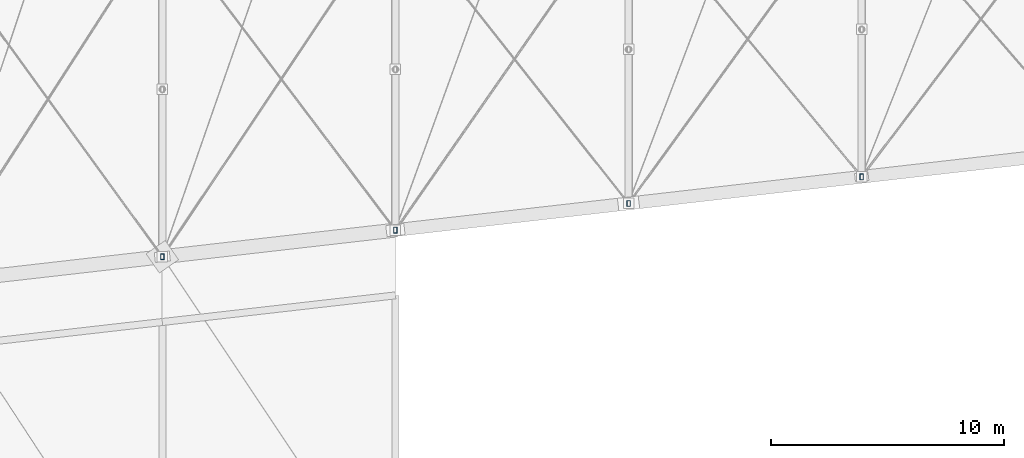
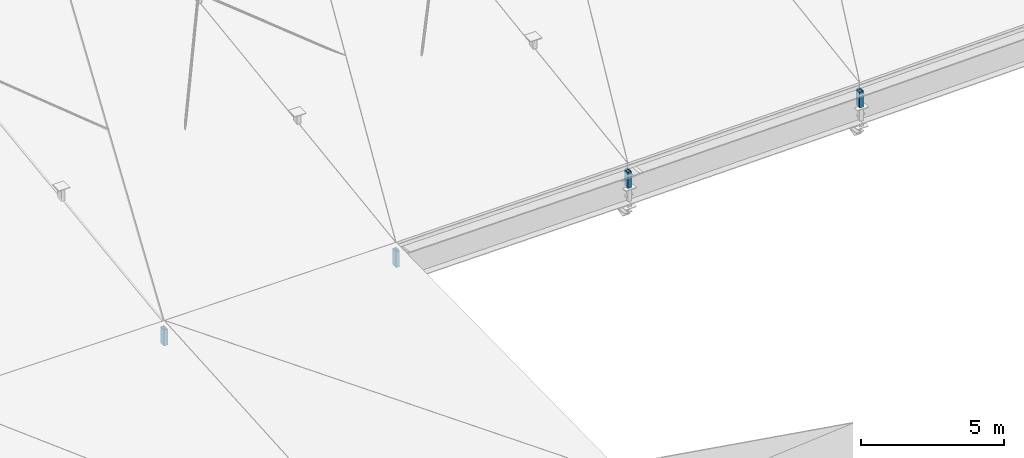
# One storey, part 46 of 68: 4 members.
"""IFC4 building model written with IfcOpenShell, lengths in metres."""

from ifc_helpers import new_model, si_unit, direction, frame, origin, origin_2d, place, context, subcontext, project, spatial, hollow_rectangle, extrude, material, material_profile, profile_set, type_object, element, save


model = new_model("IFC4")

# Units and contexts
model_context = context("Model", 3, precision=1e-05, world=origin(), true_north=direction((0.0, 1.0)))
body_context = subcontext(model_context, "Body", "Model", "MODEL_VIEW")
ifc_project = project(units=[si_unit("LENGTHUNIT", "METRE"), si_unit("AREAUNIT", "SQUARE_METRE"), si_unit("VOLUMEUNIT", "CUBIC_METRE"), si_unit("PLANEANGLEUNIT", "RADIAN"), si_unit("MASSUNIT", "GRAM", prefix="KILO")], contexts=[model_context])

# Site, building, storey
site_placement = place(None, origin())
site = spatial("IfcSite", under=ifc_project, at=site_placement, CompositionType="ELEMENT")
building_placement = place(site_placement, origin())
building = spatial("IfcBuilding", under=site, at=building_placement, Name="Sohan Crest Arena", CompositionType="ELEMENT")
storey_placement = place(building_placement, frame((0.0, 0.0, 27.0)))
storey = spatial("IfcBuildingStorey", under=building, at=storey_placement, Name="RF", CompositionType="ELEMENT", Elevation=27.0)

# Members
ifc_material = material(Name="Steel S355", Category="steel")
ifc_material_profile = material_profile(ifc_material, hollow_rectangle(XDim=0.14990234375, YDim=0.25, WallThickness=0.010009765625, at=origin_2d()), Name="RHS 250x150x10")
ifc_profile_set = profile_set([ifc_material_profile], Name="Steel S355")
member_type = type_object("IfcMemberType", Name="STR-MEM-CH02", PredefinedType="CHORD", material=ifc_profile_set)
for number, where, z_axis, x_axis, name in (
    (1, (118.0, 49.285888671875, 0.447021484375), (0.0, 0.0, 1.0), (1.0, 0.0, 0.0), "Ring beam roof bearing saddle chord RSR-15"),
    (2, (128.0, 50.428955078125, -0.4130859375), (0.0, 0.0, 1.0), (1.0, 0.0, 0.0), "Ring beam roof bearing saddle chord RSR-16"),
    (3, (138.0, 51.571044921875, -1.22998046875), (0.0, 0.0, 1.0), (1.0, 0.0, 0.0), "Ring beam roof bearing saddle chord RSR-17"),
    (4, (148.0, 52.714111328125, -1.9970703125), (0.0, 0.0, 1.0), (1.0, 0.0, 0.0), "Ring beam roof bearing saddle chord RSR-18"),
):
    element("IfcMember", number, at=place(storey_placement, frame(where, z_axis=z_axis, x_axis=x_axis)), inside=storey, type_object=member_type, Name=name, PredefinedType="CHORD", context=body_context, shape_type="SweptSolid", body=[
        extrude(hollow_rectangle(XDim=0.14990234375, YDim=0.25, WallThickness=0.010009765625, at=origin_2d()), origin(), (0.0, 0.0, 1.0), 0.68505859375),
    ])

save(model, "model.ifc")
